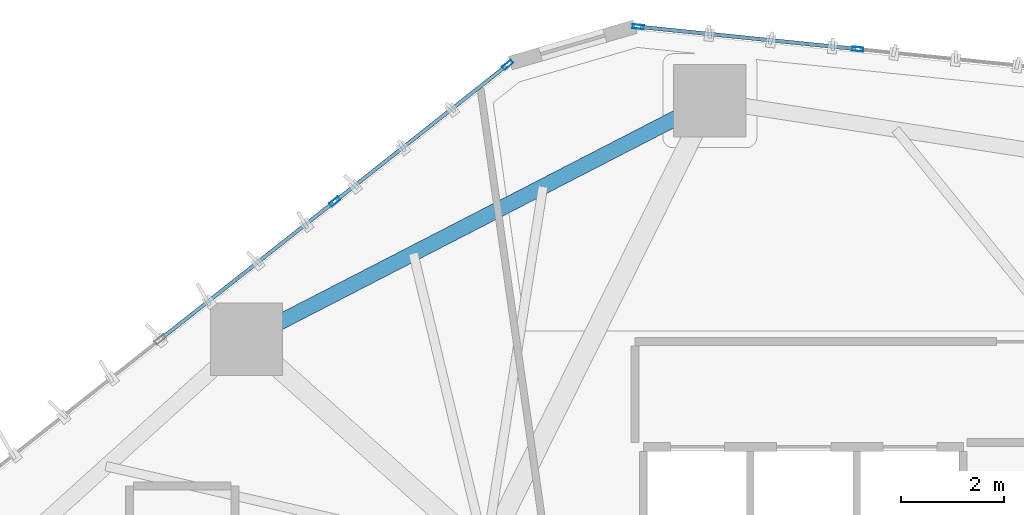
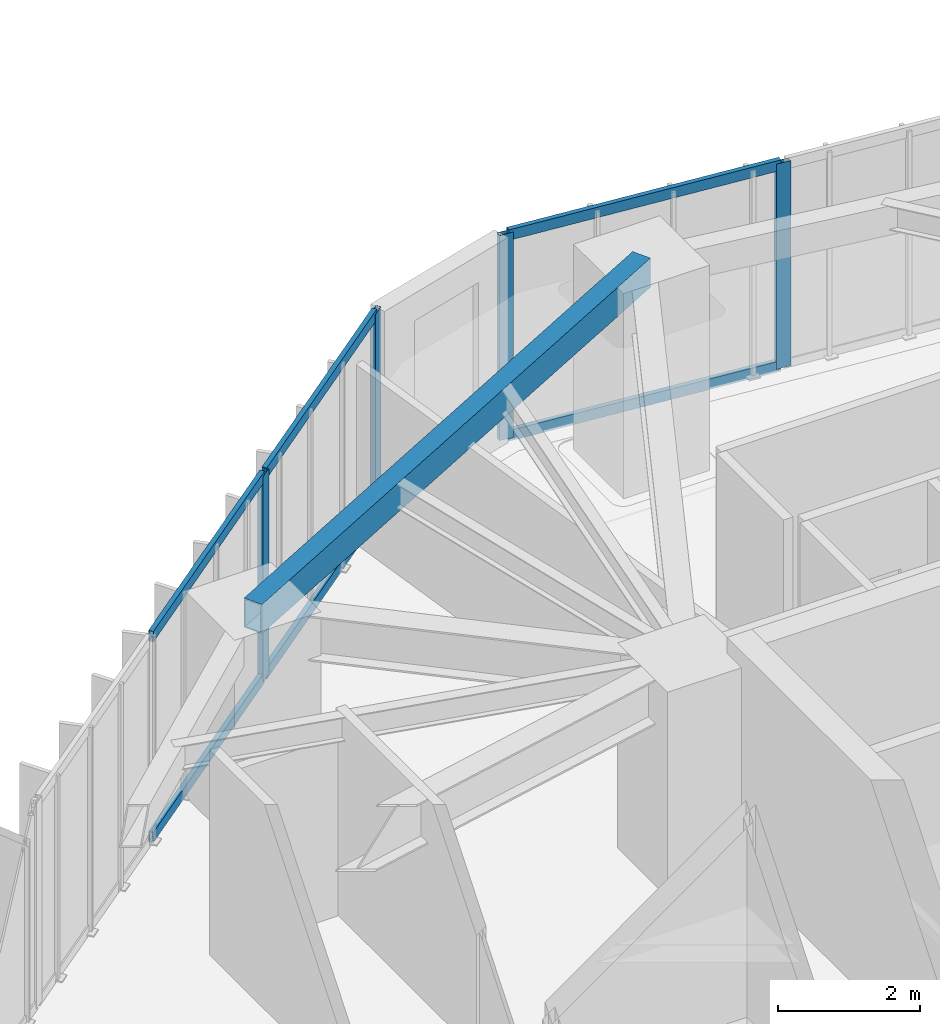
# One storey, part 15 of 24: 10 members, 1 beam, 2 elements without a shape of their own.
"""IFC4 building model written with IfcOpenShell, lengths in metres."""

from ifc_helpers import new_model, si_unit, direction, frame, origin, origin_2d, place, context, subcontext, project, spatial, hollow_rectangle, extrude, source, transform, mapped, material, layer, layer_set, material_profile, profile_set, type_object, type_shapes, element, aggregate, save


model = new_model("IFC4")

# Units and contexts
model_context = context("Model", 3, precision=1e-05, world=origin(), true_north=direction((0.0, 1.0)))
body_context = subcontext(model_context, "Body", "Model", "MODEL_VIEW")
ifc_project = project(units=[si_unit("LENGTHUNIT", "METRE"), si_unit("AREAUNIT", "SQUARE_METRE"), si_unit("VOLUMEUNIT", "CUBIC_METRE"), si_unit("PLANEANGLEUNIT", "RADIAN"), si_unit("MASSUNIT", "GRAM", prefix="KILO")], contexts=[model_context])

# Site, building, storey
site_placement = place(None, origin())
site = spatial("IfcSite", under=ifc_project, at=site_placement, CompositionType="ELEMENT")
building_placement = place(site_placement, origin())
building = spatial("IfcBuilding", under=site, at=building_placement, Name="Talar Marvaseh", CompositionType="ELEMENT")
storey_placement = place(building_placement, frame((0.0, 0.0, 73.39990234375)))
storey = spatial("IfcBuildingStorey", under=building, at=storey_placement, Name="L18", CompositionType="ELEMENT", Elevation=73.39990234375)

# Beam
ifc_material_1 = material(Name="Steel S355", Category="steel")
ifc_material_profile_1 = material_profile(ifc_material_1, hollow_rectangle(XDim=0.300048828125, YDim=0.5, WallThickness=0.02001953125, at=origin_2d()), Name="RHS500x300x20")
ifc_profile_set_1 = profile_set([ifc_material_profile_1], Name="Steel S355")
beam_type = type_object("IfcBeamType", Name="Zone 1 Perimeter Spandrel Beam RHS500x300x20", PredefinedType="SPANDREL", material=ifc_profile_set_1)
beam_placement = place(storey_placement, frame((14.069091796875, 41.04296875, 3.27001953125), z_axis=(0.889015710182, 0.457876694155, 0.0), x_axis=(-0.457876694155, 0.889015710182, 0.0)))
element("IfcBeam", 1, at=beam_placement, inside=storey, type_object=beam_type, Name="L18 Zone 1 Perimeter Spandrel Beam RHS500x300x20", PredefinedType="SPANDREL", context=body_context, shape_type="SweptSolid", body=[
    extrude(hollow_rectangle(XDim=0.300048828125, YDim=0.5, WallThickness=0.02001953125, at=origin_2d()), origin(), (0.0, 0.0, 1.0), 10.098876953125),
])

# Curtain wall, members
ifc_material_2 = material(Name="Architectural Aluminium", Category="aluminium")
ifc_layer = layer(ifc_material_2, 0.219970703125)
ifc_layer_set = layer_set([ifc_layer], Name="Architectural Aluminium")
curtain_wall_type = type_object("IfcCurtainWallType", Name="Unitised Low-E Museum Curtain Wall Z1", PredefinedType="NOTDEFINED", material=ifc_layer_set)
curtain_wall_1_placement = place(storey_placement, origin())
curtain_wall_1 = element("IfcCurtainWall", 2, at=curtain_wall_1_placement, inside=storey, type_object=curtain_wall_type, Name="L18 Unitised Low-E Museum Curtain Wall Z1", PredefinedType="NOTDEFINED")
ifc_material_profile_2 = material_profile(ifc_material_2, hollow_rectangle(XDim=0.080078125, YDim=0.219970703125, WallThickness=0.0048828125, at=origin_2d()), Name="RHS220x80x5")
ifc_profile_set_2 = profile_set([ifc_material_profile_2], Name="Architectural Aluminium")
member_type_1 = type_object("IfcMemberType", Name="Unitised Curtain Wall Heavy Mullion RHS220x80x5", PredefinedType="MULLION", material=ifc_profile_set_2)
shared_shape_1 = source(origin(), body_context, "Body", "SweptSolid", [
    extrude(hollow_rectangle(XDim=0.080078125, YDim=0.219970703125, WallThickness=0.0048828125, at=origin_2d()), origin(), (0.0, 0.0, 1.0), 3.52001953125),
])
type_shapes(member_type_1, [shared_shape_1])
member_1_placement = place(storey_placement, frame((15.7783203125, 43.713134765625, 0.0), z_axis=(0.0, 0.0, 1.0), x_axis=(-0.620022257974, 0.784584220857, 0.0)))
member_1 = element("IfcMember", 3, at=member_1_placement, type_object=member_type_1, Name="CW-Z1 mullion 4", PredefinedType="MULLION", context=body_context, shape_type="MappedRepresentation", body=[
    mapped(shared_shape_1, transform((0.0, 0.0, 0.0), x_axis=(1.0, 0.0, 0.0), y_axis=(0.0, 1.0, 0.0), z_axis=(0.0, 0.0, 1.0), scale=1.0)),
])
member_2_placement = place(storey_placement, frame((19.1298828125, 46.36181640625, 0.0), z_axis=(0.0, 0.0, 1.0), x_axis=(-0.620022257974, 0.784584220857, 0.0)))
member_2 = element("IfcMember", 4, at=member_2_placement, type_object=member_type_1, Name="CW-Z1 mullion 5", PredefinedType="MULLION", context=body_context, shape_type="MappedRepresentation", body=[
    mapped(shared_shape_1, transform((0.0, 0.0, 0.0), x_axis=(1.0, 0.0, 0.0), y_axis=(0.0, 1.0, 0.0), z_axis=(0.0, 0.0, 1.0), scale=1.0)),
])

curtain_wall_2_placement = place(storey_placement, origin())
curtain_wall_2 = element("IfcCurtainWall", 5, at=curtain_wall_2_placement, inside=storey, type_object=curtain_wall_type, Name="L18 Unitised Low-E Museum Curtain Wall Z1", PredefinedType="NOTDEFINED")
member_3_placement = place(storey_placement, frame((21.659912109375, 47.09912109375, 0.0), z_axis=(0.0, 0.0, 1.0), x_axis=(0.101365196802, 0.994849283498, 0.0)))
member_3 = element("IfcMember", 6, at=member_3_placement, type_object=member_type_1, Name="CW-Z1 mullion 1", PredefinedType="MULLION", context=body_context, shape_type="MappedRepresentation", body=[
    mapped(shared_shape_1, transform((0.0, 0.0, 0.0), x_axis=(1.0, 0.0, 0.0), y_axis=(0.0, 1.0, 0.0), z_axis=(0.0, 0.0, 1.0), scale=1.0)),
])
member_4_placement = place(storey_placement, frame((25.90966796875, 46.666015625, 0.0), z_axis=(0.0, 0.0, 1.0), x_axis=(0.101365196802, 0.994849283498, 0.0)))
member_4 = element("IfcMember", 7, at=member_4_placement, type_object=member_type_1, Name="CW-Z1 mullion 2", PredefinedType="MULLION", context=body_context, shape_type="MappedRepresentation", body=[
    mapped(shared_shape_1, transform((0.0, 0.0, 0.0), x_axis=(1.0, 0.0, 0.0), y_axis=(0.0, 1.0, 0.0), z_axis=(0.0, 0.0, 1.0), scale=1.0)),
])

# Member
ifc_material_profile_3 = material_profile(ifc_material_2, hollow_rectangle(XDim=0.074951171875, YDim=0.179931640625, WallThickness=0.0048828125, at=origin_2d()), Name="RHS180x75x5")
ifc_profile_set_3 = profile_set([ifc_material_profile_3], Name="Architectural Aluminium")
member_type_2 = type_object("IfcMemberType", Name="Unitised Curtain Wall Transom RHS180x75x5", PredefinedType="USERDEFINED", material=ifc_profile_set_3)
shared_shape_2 = source(origin(), body_context, "Body", "SweptSolid", [
    extrude(hollow_rectangle(XDim=0.074951171875, YDim=0.179931640625, WallThickness=0.0048828125, at=origin_2d()), origin(), (0.0, 0.0, 1.0), 4.23193359375),
])
member_5_placement = place(storey_placement, frame((12.426513671875, 41.064453125, 0.03759765625), z_axis=(0.78459767319, 0.620005234836, 0.0), x_axis=(-0.620005234836, 0.78459767319, 0.0)))
member_5 = element("IfcMember", 8, at=member_5_placement, type_object=member_type_2, Name="CW-Z1 transom 3.1", ObjectType="TRANSOM", PredefinedType="USERDEFINED", context=body_context, shape_type="MappedRepresentation", body=[
    mapped(shared_shape_2, transform((0.0, 0.0, 0.0), x_axis=(1.0, 0.0, 0.0), y_axis=(0.0, 1.0, 0.0), z_axis=(0.0, 0.0, 1.0), scale=1.0)),
])

member_6_placement = place(storey_placement, frame((12.426513671875, 41.064453125, 3.482666015625), z_axis=(0.78459767319, 0.620005234836, 0.0), x_axis=(-0.620005234836, 0.78459767319, 0.0)))
member_6 = element("IfcMember", 9, at=member_6_placement, type_object=member_type_2, Name="CW-Z1 transom 3.2", ObjectType="TRANSOM", PredefinedType="USERDEFINED", context=body_context, shape_type="MappedRepresentation", body=[
    mapped(shared_shape_2, transform((0.0, 0.0, 0.0), x_axis=(1.0, 0.0, 0.0), y_axis=(0.0, 1.0, 0.0), z_axis=(0.0, 0.0, 1.0), scale=1.0)),
])

shared_shape_3 = source(origin(), body_context, "Body", "SweptSolid", [
    extrude(hollow_rectangle(XDim=0.074951171875, YDim=0.179931640625, WallThickness=0.0048828125, at=origin_2d()), origin(), (0.0, 0.0, 1.0), 4.191650390625),
])
member_7_placement = place(storey_placement, frame((21.69970703125, 47.094970703125, 0.03759765625), z_axis=(0.994851533636, -0.101343110387, 0.0), x_axis=(0.101343110387, 0.994851533636, 0.0)))
member_7 = element("IfcMember", 10, at=member_7_placement, type_object=member_type_2, Name="CW-Z1 transom 1.1", ObjectType="TRANSOM", PredefinedType="USERDEFINED", context=body_context, shape_type="MappedRepresentation", body=[
    mapped(shared_shape_3, transform((0.0, 0.0, 0.0), x_axis=(1.0, 0.0, 0.0), y_axis=(0.0, 1.0, 0.0), z_axis=(0.0, 0.0, 1.0), scale=1.0)),
])

member_8_placement = place(storey_placement, frame((21.69970703125, 47.094970703125, 3.482666015625), z_axis=(0.994851533636, -0.101343110387, 0.0), x_axis=(0.101343110387, 0.994851533636, 0.0)))
member_8 = element("IfcMember", 11, at=member_8_placement, type_object=member_type_2, Name="CW-Z1 transom 1.2", ObjectType="TRANSOM", PredefinedType="USERDEFINED", context=body_context, shape_type="MappedRepresentation", body=[
    mapped(shared_shape_3, transform((0.0, 0.0, 0.0), x_axis=(1.0, 0.0, 0.0), y_axis=(0.0, 1.0, 0.0), z_axis=(0.0, 0.0, 1.0), scale=1.0)),
])

aggregate(curtain_wall_2, [member_3, member_4, member_7, member_8])

shared_shape_4 = source(origin(), body_context, "Body", "SweptSolid", [
    extrude(hollow_rectangle(XDim=0.074951171875, YDim=0.179931640625, WallThickness=0.0048828125, at=origin_2d()), origin(), (0.0, 0.0, 1.0), 4.192138671875),
])
type_shapes(member_type_2, [shared_shape_2, shared_shape_3, shared_shape_4])
member_9_placement = place(storey_placement, frame((15.8095703125, 43.73779296875, 0.03759765625), z_axis=(0.784593473585, 0.620010549271, 0.0), x_axis=(-0.620010549271, 0.784593473585, 0.0)))
member_9 = element("IfcMember", 12, at=member_9_placement, type_object=member_type_2, Name="CW-Z1 transom 4.1", ObjectType="TRANSOM", PredefinedType="USERDEFINED", context=body_context, shape_type="MappedRepresentation", body=[
    mapped(shared_shape_4, transform((0.0, 0.0, 0.0), x_axis=(1.0, 0.0, 0.0), y_axis=(0.0, 1.0, 0.0), z_axis=(0.0, 0.0, 1.0), scale=1.0)),
])

member_10_placement = place(storey_placement, frame((15.8095703125, 43.73779296875, 3.482666015625), z_axis=(0.784593473585, 0.620010549271, 0.0), x_axis=(-0.620010549271, 0.784593473585, 0.0)))
member_10 = element("IfcMember", 13, at=member_10_placement, type_object=member_type_2, Name="CW-Z1 transom 4.2", ObjectType="TRANSOM", PredefinedType="USERDEFINED", context=body_context, shape_type="MappedRepresentation", body=[
    mapped(shared_shape_4, transform((0.0, 0.0, 0.0), x_axis=(1.0, 0.0, 0.0), y_axis=(0.0, 1.0, 0.0), z_axis=(0.0, 0.0, 1.0), scale=1.0)),
])

aggregate(curtain_wall_1, [member_1, member_2, member_5, member_6, member_9, member_10])

save(model, "model.ifc")
